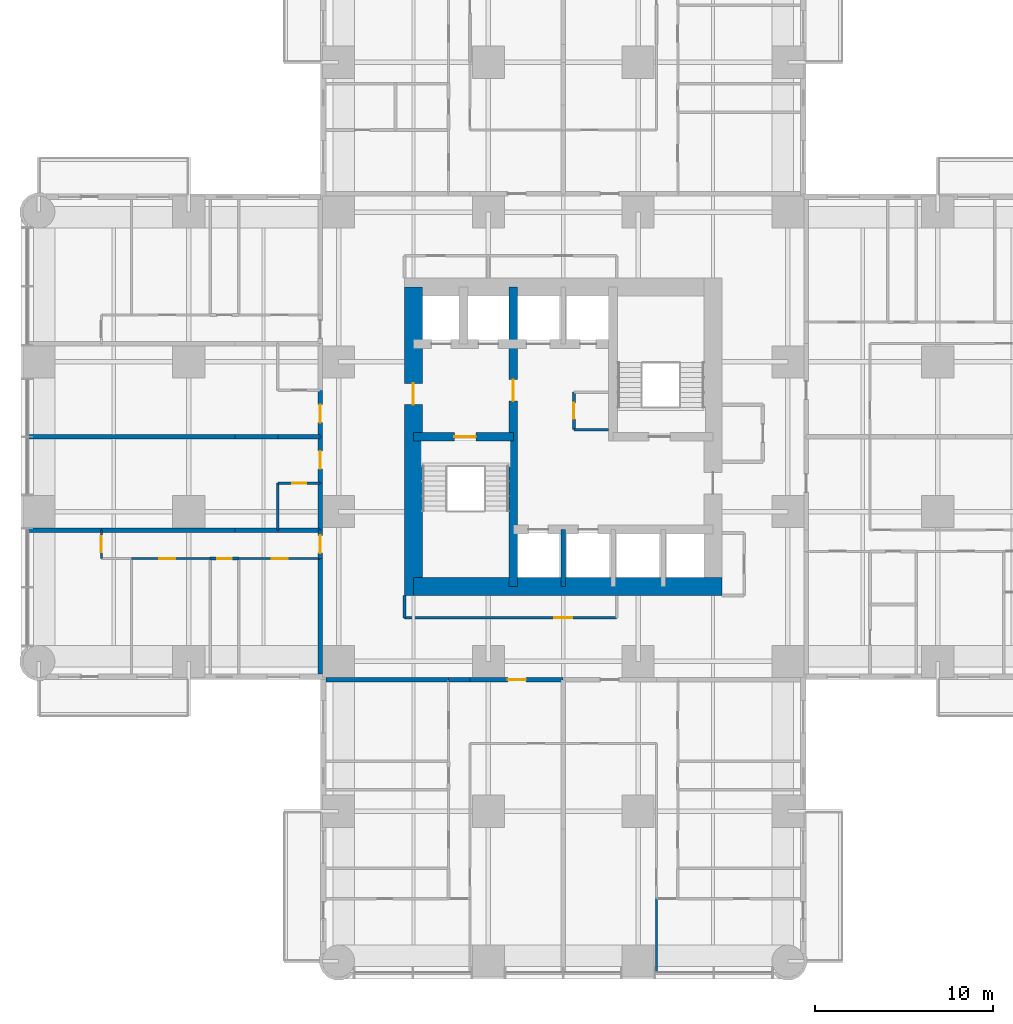
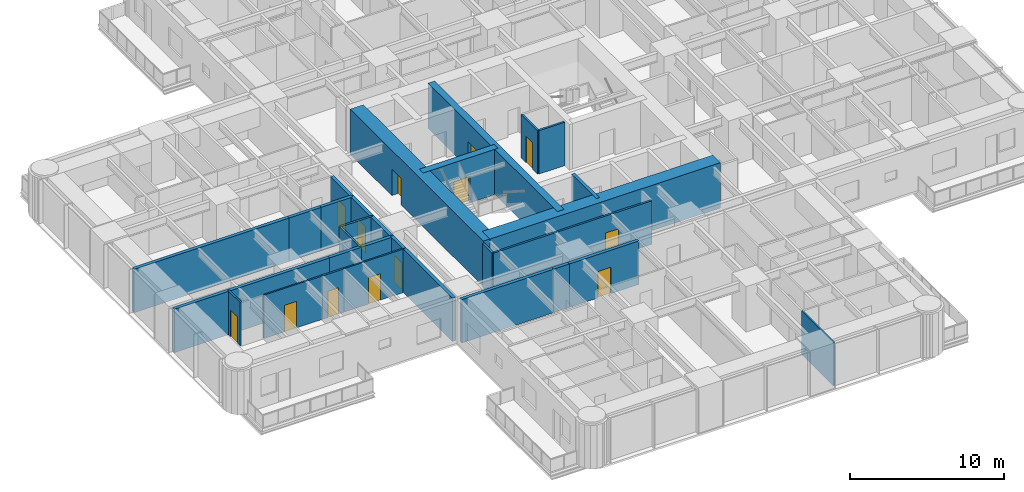
# One storey, part 8 of 17: 31 walls, 14 doors, 14 openings.
"""IFC4 building model written with IfcOpenShell, lengths in metres."""

from ifc_helpers import new_model, si_unit, direction, frame, frame_2d, origin, place, context, subcontext, project, spatial, rectangle, extrude, material, layer, layer_set, type_object, element, fill, save


model = new_model("IFC4")

# Units and contexts
model_context = context("Model", 3, precision=1e-05, world=origin(), true_north=direction((0.0, 1.0)))
body_context = subcontext(model_context, "Body", "Model", "MODEL_VIEW")
ifc_project = project(units=[si_unit("LENGTHUNIT", "METRE"), si_unit("AREAUNIT", "SQUARE_METRE"), si_unit("VOLUMEUNIT", "CUBIC_METRE"), si_unit("PLANEANGLEUNIT", "RADIAN"), si_unit("MASSUNIT", "GRAM", prefix="KILO")], contexts=[model_context])

# Site, building, storey
site_placement = place(None, origin())
site = spatial("IfcSite", under=ifc_project, at=site_placement, CompositionType="ELEMENT")
building_placement = place(site_placement, origin())
building = spatial("IfcBuilding", under=site, at=building_placement, Name="Torre Alcanfor", CompositionType="ELEMENT")
storey_placement = place(building_placement, frame((0.0, 0.0, 77.699951171875)))
storey = spatial("IfcBuildingStorey", under=building, at=storey_placement, Name="L19", CompositionType="ELEMENT", Elevation=77.699951171875)

# Wall, opening, door
ifc_material_1 = material(Name="Concrete block masonry, hollow blocks NMX-C-404 9 MPa", Category="masonry")
ifc_layer_1 = layer(ifc_material_1, 0.25)
ifc_layer_set_1 = layer_set([ifc_layer_1], Name="Apartment entrance wall 250 EI 60")
wall_type_1 = type_object("IfcWallType", Name="Apartment entrance wall 250 EI 60", PredefinedType="PARTITIONING", material=ifc_layer_set_1)
wall_1_placement = place(storey_placement, frame((29.39990234375, 15.77490234375, 0.0), z_axis=(0.0, 0.0, 1.0), x_axis=(-1.0, 0.0, 0.0)))
wall_1 = element("IfcWall", 1, at=wall_1_placement, inside=storey, type_object=wall_type_1, Name="Partition L19-CORR / L19-S2-ZAG", PredefinedType="PARTITIONING", context=body_context, shape_type="SweptSolid", body=[
    extrude(rectangle(XDim=5.22900390625, YDim=0.25, at=frame_2d((2.614501953125, 0.0))), origin(), (0.0, 0.0, 1.0), 3.449951171875),
])
opening_1_placement = place(wall_1_placement, frame((2.10009765625, 0.0, 0.0)))
opening_1 = element("IfcOpeningElement", 2, at=opening_1_placement, cuts=wall_1, Name="Opening D-A1", PredefinedType="OPENING", context=body_context, shape_type="SweptSolid", body=[
    extrude(rectangle(XDim=1.0, YDim=2.10009765625, at=frame_2d((0.5, 1.050048828125))), frame((0.0, 0.135009765625, 0.0), z_axis=(0.0, -1.0, 0.0), x_axis=(1.0, 0.0, 0.0)), (0.0, 0.0, 1.0), 0.27001953125),
])
ifc_material_2 = material(Name="Galvanised steel sheet ASTM A653", Category="steel")
door_type_1 = type_object("IfcDoorType", Name="Apartment entrance door FD60 1000x2100", OperationType="SINGLE_SWING_LEFT", PredefinedType="DOOR", material=ifc_material_2)
door_1_placement = place(opening_1_placement, origin())
door_1 = element("IfcDoor", 3, at=door_1_placement, inside=storey, type_object=door_type_1, Name="Apartment entrance L19-S2", OperationType="SINGLE_SWING_LEFT", OverallHeight=2.10009765625, OverallWidth=1.0, PredefinedType="DOOR", context=body_context, shape_type="SweptSolid", body=[
    extrude(rectangle(XDim=1.0, YDim=2.10009765625, at=frame_2d((0.5, 1.050048828125))), frame((0.0, 0.02490234375, 0.0), z_axis=(0.0, -1.0, 0.0), x_axis=(1.0, 0.0, 0.0)), (0.0, 0.0, 1.0), 0.050048828125),
])
fill(opening_1, door_1)

# Walls
wall_2_placement = place(storey_placement, frame((24.1708984375, 15.77490234375, 0.0), z_axis=(0.0, 0.0, 1.0), x_axis=(-1.0, 0.0, 0.0)))
element("IfcWall", 4, at=wall_2_placement, inside=storey, type_object=wall_type_1, Name="Partition L19-CORR / L19-S2-HALL", PredefinedType="PARTITIONING", context=body_context, shape_type="SweptSolid", body=[
    extrude(rectangle(XDim=1.199951171875, YDim=0.25, at=frame_2d((0.60009765625, 0.0))), origin(), (0.0, 0.0, 1.0), 3.449951171875),
])
wall_3_placement = place(storey_placement, frame((22.970947265625, 15.77490234375, 0.0), z_axis=(0.0, 0.0, 1.0), x_axis=(-1.0, 0.0, 0.0)))
element("IfcWall", 5, at=wall_3_placement, inside=storey, type_object=wall_type_1, Name="Partition L19-CORR / L19-S2-BED3", PredefinedType="PARTITIONING", context=body_context, shape_type="SweptSolid", body=[
    extrude(rectangle(XDim=6.870849609375, YDim=0.25, at=frame_2d((3.435546875, 0.0))), origin(), (0.0, 0.0, 1.0), 3.449951171875),
])

# Wall, opening, door
wall_4_placement = place(storey_placement, frame((15.77490234375, 26.800048828125, 0.0), z_axis=(0.0, 0.0, 1.0), x_axis=(0.0, 1.0, 0.0)))
wall_4 = element("IfcWall", 6, at=wall_4_placement, inside=storey, type_object=wall_type_1, Name="Partition L19-CORR / L19-W1A-FOYER", PredefinedType="PARTITIONING", context=body_context, shape_type="SweptSolid", body=[
    extrude(rectangle(XDim=2.599853515625, YDim=0.25, at=frame_2d((1.2998046875, 0.0))), origin(), (0.0, 0.0, 1.0), 3.449951171875),
])
opening_2_placement = place(wall_4_placement, frame((0.800048828125, 0.0, 0.0)))
opening_2 = element("IfcOpeningElement", 7, at=opening_2_placement, cuts=wall_4, Name="Opening D-A1", PredefinedType="OPENING", context=body_context, shape_type="SweptSolid", body=[
    extrude(rectangle(XDim=1.0, YDim=2.10009765625, at=frame_2d((0.5, 1.050048828125))), frame((0.0, 0.135009765625, 0.0), z_axis=(0.0, -1.0, 0.0), x_axis=(1.0, 0.0, 0.0)), (0.0, 0.0, 1.0), 0.27001953125),
])
door_2_placement = place(opening_2_placement, origin())
door_2 = element("IfcDoor", 8, at=door_2_placement, inside=storey, type_object=door_type_1, Name="Apartment entrance L19-W1A", OperationType="SINGLE_SWING_LEFT", OverallHeight=2.10009765625, OverallWidth=1.0, PredefinedType="DOOR", context=body_context, shape_type="SweptSolid", body=[
    extrude(rectangle(XDim=1.0, YDim=2.10009765625, at=frame_2d((0.5, 1.050048828125))), frame((0.0, 0.02490234375, 0.0), z_axis=(0.0, -1.0, 0.0), x_axis=(1.0, 0.0, 0.0)), (0.0, 0.0, 1.0), 0.050048828125),
])
fill(opening_2, door_2)

# Wall
wall_5_placement = place(storey_placement, frame((15.77490234375, 24.1708984375, 0.0), z_axis=(0.0, 0.0, 1.0), x_axis=(0.0, 1.0, 0.0)))
element("IfcWall", 9, at=wall_5_placement, inside=storey, type_object=wall_type_1, Name="Partition L19-CORR / L19-W1A-BATH", PredefinedType="PARTITIONING", context=body_context, shape_type="SweptSolid", body=[
    extrude(rectangle(XDim=2.629150390625, YDim=0.25, at=frame_2d((1.314453125, 0.0))), origin(), (0.0, 0.0, 1.0), 3.449951171875),
])

# Wall, opening, door
wall_6_placement = place(storey_placement, frame((15.77490234375, 22.571044921875, 0.0), z_axis=(0.0, 0.0, 1.0), x_axis=(0.0, 1.0, 0.0)))
wall_6 = element("IfcWall", 10, at=wall_6_placement, inside=storey, type_object=wall_type_1, Name="Partition L19-CORR / L19-W1B-HALL", PredefinedType="PARTITIONING", context=body_context, shape_type="SweptSolid", body=[
    extrude(rectangle(XDim=1.599853515625, YDim=0.25, at=frame_2d((0.7998046875, 0.0))), origin(), (0.0, 0.0, 1.0), 3.449951171875),
])
opening_3_placement = place(wall_6_placement, frame((0.300048828125, 0.0, 0.0)))
opening_3 = element("IfcOpeningElement", 11, at=opening_3_placement, cuts=wall_6, Name="Opening D-A1", PredefinedType="OPENING", context=body_context, shape_type="SweptSolid", body=[
    extrude(rectangle(XDim=1.0, YDim=2.10009765625, at=frame_2d((0.5, 1.050048828125))), frame((0.0, 0.135009765625, 0.0), z_axis=(0.0, -1.0, 0.0), x_axis=(1.0, 0.0, 0.0)), (0.0, 0.0, 1.0), 0.27001953125),
])
door_3_placement = place(opening_3_placement, origin())
door_3 = element("IfcDoor", 12, at=door_3_placement, inside=storey, type_object=door_type_1, Name="Apartment entrance L19-W1B", OperationType="SINGLE_SWING_LEFT", OverallHeight=2.10009765625, OverallWidth=1.0, PredefinedType="DOOR", context=body_context, shape_type="SweptSolid", body=[
    extrude(rectangle(XDim=1.0, YDim=2.10009765625, at=frame_2d((0.5, 1.050048828125))), frame((0.0, 0.02490234375, 0.0), z_axis=(0.0, -1.0, 0.0), x_axis=(1.0, 0.0, 0.0)), (0.0, 0.0, 1.0), 0.050048828125),
])
fill(opening_3, door_3)

# Wall
wall_7_placement = place(storey_placement, frame((15.77490234375, 16.10009765625, 0.0), z_axis=(0.0, 0.0, 1.0), x_axis=(0.0, 1.0, 0.0)))
element("IfcWall", 13, at=wall_7_placement, inside=storey, type_object=wall_type_1, Name="Partition L19-CORR / L19-W1B-MASTER", PredefinedType="PARTITIONING", context=body_context, shape_type="SweptSolid", body=[
    extrude(rectangle(XDim=6.470947265625, YDim=0.25, at=frame_2d((3.2353515625, 0.0))), origin(), (0.0, 0.0, 1.0), 3.449951171875),
])

# Wall, opening, door
wall_8_placement = place(storey_placement, frame((15.77490234375, 29.39990234375, 0.0), z_axis=(0.0, 0.0, 1.0), x_axis=(0.0, 1.0, 0.0)))
wall_8 = element("IfcWall", 14, at=wall_8_placement, inside=storey, type_object=wall_type_1, Name="Partition L19-CORR / L19-W2A-FOYER", PredefinedType="PARTITIONING", context=body_context, shape_type="SweptSolid", body=[
    extrude(rectangle(XDim=2.60009765625, YDim=0.25, at=frame_2d((1.300048828125, 0.0))), origin(), (0.0, 0.0, 1.0), 3.449951171875),
])
opening_4_placement = place(wall_8_placement, frame((0.800048828125, 0.0, 0.0)))
opening_4 = element("IfcOpeningElement", 15, at=opening_4_placement, cuts=wall_8, Name="Opening D-A1", PredefinedType="OPENING", context=body_context, shape_type="SweptSolid", body=[
    extrude(rectangle(XDim=1.0, YDim=2.10009765625, at=frame_2d((0.5, 1.050048828125))), frame((0.0, 0.135009765625, 0.0), z_axis=(0.0, -1.0, 0.0), x_axis=(1.0, 0.0, 0.0)), (0.0, 0.0, 1.0), 0.27001953125),
])
door_4_placement = place(opening_4_placement, origin())
door_4 = element("IfcDoor", 16, at=door_4_placement, inside=storey, type_object=door_type_1, Name="Apartment entrance L19-W2A", OperationType="SINGLE_SWING_LEFT", OverallHeight=2.10009765625, OverallWidth=1.0, PredefinedType="DOOR", context=body_context, shape_type="SweptSolid", body=[
    extrude(rectangle(XDim=1.0, YDim=2.10009765625, at=frame_2d((0.5, 1.050048828125))), frame((0.0, 0.02490234375, 0.0), z_axis=(0.0, -1.0, 0.0), x_axis=(1.0, 0.0, 0.0)), (0.0, 0.0, 1.0), 0.050048828125),
])
fill(opening_4, door_4)

# Wall
ifc_material_3 = material(Name="Gypsum board on steel studs", Category="steel")
ifc_layer_2 = layer(ifc_material_3, 0.1201171875)
ifc_layer_set_2 = layer_set([ifc_layer_2], Name="Apartment partition 120")
wall_type_2 = type_object("IfcWallType", Name="Apartment partition 120", PredefinedType="PARTITIONING", material=ifc_layer_set_2)
wall_9_placement = place(storey_placement, frame((34.62890625, -0.64990234375, 0.0), z_axis=(0.0, 0.0, 1.0), x_axis=(0.0, 1.0, 0.0)))
element("IfcWall", 17, at=wall_9_placement, inside=storey, type_object=wall_type_2, Name="Partition L19-S1-LIVING / L19-S1-MASTER", PredefinedType="PARTITIONING", context=body_context, shape_type="SweptSolid", body=[
    extrude(rectangle(XDim=4.14990234375, YDim=0.1201171875, at=frame_2d((2.074951171875, 0.0))), origin(), (0.0, 0.0, 1.0), 3.449951171875),
])

# Wall, opening, door
wall_10_placement = place(storey_placement, frame((11.199951171875, 22.571044921875, 0.0), z_axis=(0.0, 0.0, 1.0), x_axis=(1.0, 0.0, 0.0)))
wall_10 = element("IfcWall", 18, at=wall_10_placement, inside=storey, type_object=wall_type_2, Name="Partition L19-W1B-HALL / L19-W1B-MASTER", PredefinedType="PARTITIONING", context=body_context, shape_type="SweptSolid", body=[
    extrude(rectangle(XDim=4.574951171875, YDim=0.1201171875, at=frame_2d((2.28759765625, 0.0))), origin(), (0.0, 0.0, 1.0), 3.449951171875),
])
opening_5_placement = place(wall_10_placement, frame((1.85009765625, 0.0, 0.0)))
opening_5 = element("IfcOpeningElement", 19, at=opening_5_placement, cuts=wall_10, Name="Opening D-R1", PredefinedType="OPENING", context=body_context, shape_type="SweptSolid", body=[
    extrude(rectangle(XDim=0.89990234375, YDim=2.10009765625, at=frame_2d((0.449951171875, 1.050048828125))), frame((0.0, 0.070068359375, 0.0), z_axis=(0.0, -1.0, 0.0), x_axis=(1.0, 0.0, 0.0)), (0.0, 0.0, 1.0), 0.14013671875),
])
ifc_material_4 = material(Name="Timber", Category="wood")
door_type_2 = type_object("IfcDoorType", Name="Internal door 900x2100", OperationType="SINGLE_SWING_LEFT", PredefinedType="DOOR", material=ifc_material_4)
door_5_placement = place(opening_5_placement, frame((0.89990234375, 0.0, 0.0), z_axis=(0.0, 0.0, 1.0), x_axis=(-1.0, 0.0, 0.0)))
door_5 = element("IfcDoor", 20, at=door_5_placement, inside=storey, type_object=door_type_2, Name="Door L19-W1B master", OperationType="SINGLE_SWING_LEFT", OverallHeight=2.10009765625, OverallWidth=0.89990234375, PredefinedType="DOOR", context=body_context, shape_type="SweptSolid", body=[
    extrude(rectangle(XDim=0.89990234375, YDim=2.10009765625, at=frame_2d((0.449951171875, 1.050048828125))), frame((0.0, 0.025146484375, 0.0), z_axis=(0.0, -1.0, 0.0), x_axis=(1.0, 0.0, 0.0)), (0.0, 0.0, 1.0), 0.050048828125),
])
fill(opening_5, door_5)

wall_11_placement = place(storey_placement, frame((5.199951171875, 22.571044921875, 0.0), z_axis=(0.0, 0.0, 1.0), x_axis=(1.0, 0.0, 0.0)))
wall_11 = element("IfcWall", 21, at=wall_11_placement, inside=storey, type_object=wall_type_2, Name="Partition L19-W1B-HALL / L19-W1B-STUDY", PredefinedType="PARTITIONING", context=body_context, shape_type="SweptSolid", body=[
    extrude(rectangle(XDim=4.400146484375, YDim=0.1201171875, at=frame_2d((2.2001953125, 0.0))), origin(), (0.0, 0.0, 1.0), 3.449951171875),
])
opening_6_placement = place(wall_11_placement, frame((1.550048828125, 0.0, 0.0)))
opening_6 = element("IfcOpeningElement", 22, at=opening_6_placement, cuts=wall_11, Name="Opening D-R1", PredefinedType="OPENING", context=body_context, shape_type="SweptSolid", body=[
    extrude(rectangle(XDim=0.89990234375, YDim=2.10009765625, at=frame_2d((0.449951171875, 1.050048828125))), frame((0.0, 0.070068359375, 0.0), z_axis=(0.0, -1.0, 0.0), x_axis=(1.0, 0.0, 0.0)), (0.0, 0.0, 1.0), 0.14013671875),
])
door_6_placement = place(opening_6_placement, frame((0.89990234375, 0.0, 0.0), z_axis=(0.0, 0.0, 1.0), x_axis=(-1.0, 0.0, 0.0)))
door_6 = element("IfcDoor", 23, at=door_6_placement, inside=storey, type_object=door_type_2, Name="Door L19-W1B study", OperationType="SINGLE_SWING_RIGHT", OverallHeight=2.10009765625, OverallWidth=0.89990234375, PredefinedType="DOOR", context=body_context, shape_type="SweptSolid", body=[
    extrude(rectangle(XDim=0.89990234375, YDim=2.10009765625, at=frame_2d((0.449951171875, 1.050048828125))), frame((0.0, 0.025146484375, 0.0), z_axis=(0.0, -1.0, 0.0), x_axis=(1.0, 0.0, 0.0)), (0.0, 0.0, 1.0), 0.050048828125),
])
fill(opening_6, door_6)

wall_12_placement = place(storey_placement, frame((3.5, 24.1708984375, 0.0), z_axis=(0.0, 0.0, 1.0), x_axis=(0.0, -1.0, 0.0)))
wall_12 = element("IfcWall", 24, at=wall_12_placement, inside=storey, type_object=wall_type_2, Name="Partition L19-W1B-HALL / L19-W1B-LIVING", PredefinedType="PARTITIONING", context=body_context, shape_type="SweptSolid", body=[
    extrude(rectangle(XDim=1.599853515625, YDim=0.1201171875, at=frame_2d((0.7998046875, 0.0))), origin(), (0.0, 0.0, 1.0), 3.449951171875),
])
opening_7_placement = place(wall_12_placement, frame((0.35009765625, 0.0, 0.0)))
opening_7 = element("IfcOpeningElement", 25, at=opening_7_placement, cuts=wall_12, Name="Opening D-R1", PredefinedType="OPENING", context=body_context, shape_type="SweptSolid", body=[
    extrude(rectangle(XDim=0.89990234375, YDim=2.10009765625, at=frame_2d((0.449951171875, 1.050048828125))), frame((0.0, 0.070068359375, 0.0), z_axis=(0.0, -1.0, 0.0), x_axis=(1.0, 0.0, 0.0)), (0.0, 0.0, 1.0), 0.14013671875),
])
door_7_placement = place(opening_7_placement, frame((0.89990234375, 0.0, 0.0), z_axis=(0.0, 0.0, 1.0), x_axis=(-1.0, 0.0, 0.0)))
door_7 = element("IfcDoor", 26, at=door_7_placement, inside=storey, type_object=door_type_2, Name="Door L19-W1B living", OperationType="SINGLE_SWING_RIGHT", OverallHeight=2.10009765625, OverallWidth=0.89990234375, PredefinedType="DOOR", context=body_context, shape_type="SweptSolid", body=[
    extrude(rectangle(XDim=0.89990234375, YDim=2.10009765625, at=frame_2d((0.449951171875, 1.050048828125))), frame((0.0, 0.025146484375, 0.0), z_axis=(0.0, -1.0, 0.0), x_axis=(1.0, 0.0, 0.0)), (0.0, 0.0, 1.0), 0.050048828125),
])
fill(opening_7, door_7)

ifc_material_5 = material(Name="Concrete f'c 70 MPa", Category="concrete")
ifc_layer_3 = layer(ifc_material_5, 0.5)
ifc_layer_set_3 = layer_set([ifc_layer_3], Name="Core inner wall 500 f'c70")
wall_type_3 = type_object("IfcWallType", Name="Core inner wall 500 f'c70", PredefinedType="SHEAR", material=ifc_layer_set_3)
wall_13_placement = place(storey_placement, frame((26.60009765625, 21.0, 0.0), z_axis=(0.0, 0.0, 1.0), x_axis=(0.0, 1.0, 0.0)))
wall_13 = element("IfcWall", 27, at=wall_13_placement, inside=storey, type_object=wall_type_3, Name="Core wall X266 L19", PredefinedType="SHEAR", context=body_context, shape_type="SweptSolid", body=[
    extrude(rectangle(XDim=16.800048828125, YDim=0.5, at=frame_2d((8.39990234375, 0.0))), origin(), (0.0, 0.0, 1.0), 3.60009765625),
])
opening_8_placement = place(wall_13_placement, frame((10.39990234375, 0.0, 0.0)))
opening_8 = element("IfcOpeningElement", 28, at=opening_8_placement, cuts=wall_13, Name="Opening D-L1", PredefinedType="OPENING", context=body_context, shape_type="SweptSolid", body=[
    extrude(rectangle(XDim=1.199951171875, YDim=2.10009765625, at=frame_2d((0.60009765625, 1.050048828125))), frame((0.0, 0.260009765625, 0.0), z_axis=(0.0, -1.0, 0.0), x_axis=(1.0, 0.0, 0.0)), (0.0, 0.0, 1.0), 0.52001953125),
])
ifc_material_6 = material(Name="Galvanised steel sheet ASTM A653", Category="steel")
door_type_3 = type_object("IfcDoorType", Name="Lobby door FD120 1200x2100", OperationType="SINGLE_SWING_LEFT", PredefinedType="DOOR", material=ifc_material_6)
door_8_placement = place(opening_8_placement, origin())
door_8 = element("IfcDoor", 29, at=door_8_placement, inside=storey, type_object=door_type_3, Name="Lift lobby door L19", OperationType="SINGLE_SWING_LEFT", OverallHeight=2.10009765625, OverallWidth=1.199951171875, PredefinedType="DOOR", context=body_context, shape_type="SweptSolid", body=[
    extrude(rectangle(XDim=1.199951171875, YDim=2.10009765625, at=frame_2d((0.60009765625, 1.050048828125))), frame((0.0, 0.02490234375, 0.0), z_axis=(0.0, -1.0, 0.0), x_axis=(1.0, 0.0, 0.0)), (0.0, 0.0, 1.0), 0.050048828125),
])
fill(opening_8, door_8)

wall_14_placement = place(storey_placement, frame((21.0, 29.39990234375, 0.0), z_axis=(0.0, 0.0, 1.0), x_axis=(1.0, 0.0, 0.0)))
wall_14 = element("IfcWall", 30, at=wall_14_placement, inside=storey, type_object=wall_type_3, Name="Core wall Y294W L19", PredefinedType="SHEAR", context=body_context, shape_type="SweptSolid", body=[
    extrude(rectangle(XDim=5.60009765625, YDim=0.5, at=frame_2d((2.800048828125, 0.0))), origin(), (0.0, 0.0, 1.0), 3.60009765625),
])
opening_9_placement = place(wall_14_placement, frame((2.300048828125, 0.0, 0.0)))
opening_9 = element("IfcOpeningElement", 31, at=opening_9_placement, cuts=wall_14, Name="Opening D-S2", PredefinedType="OPENING", context=body_context, shape_type="SweptSolid", body=[
    extrude(rectangle(XDim=1.199951171875, YDim=2.10009765625, at=frame_2d((0.60009765625, 1.050048828125))), frame((0.0, 0.260009765625, 0.0), z_axis=(0.0, -1.0, 0.0), x_axis=(1.0, 0.0, 0.0)), (0.0, 0.0, 1.0), 0.52001953125),
])
ifc_material_7 = material(Name="Galvanised steel sheet ASTM A653", Category="steel")
door_type_4 = type_object("IfcDoorType", Name="Stair enclosure door FD120 1200x2100", OperationType="SINGLE_SWING_LEFT", PredefinedType="DOOR", material=ifc_material_7)
door_9_placement = place(opening_9_placement, frame((1.199951171875, 0.0, 0.0), z_axis=(0.0, 0.0, 1.0), x_axis=(-1.0, 0.0, 0.0)))
door_9 = element("IfcDoor", 32, at=door_9_placement, inside=storey, type_object=door_type_4, Name="Stair S1 door L19", OperationType="SINGLE_SWING_LEFT", OverallHeight=2.10009765625, OverallWidth=1.199951171875, PredefinedType="DOOR", context=body_context, shape_type="SweptSolid", body=[
    extrude(rectangle(XDim=1.199951171875, YDim=2.10009765625, at=frame_2d((0.599853515625, 1.050048828125))), frame((0.0, 0.025146484375, 0.0), z_axis=(0.0, -1.0, 0.0), x_axis=(1.0, 0.0, 0.0)), (0.0, 0.0, 1.0), 0.050048828125),
])
fill(opening_9, door_9)

# Walls
ifc_material_8 = material(Name="Concrete f'c 70 MPa", Category="concrete")
ifc_layer_4 = layer(ifc_material_8, 0.25)
ifc_layer_set_4 = layer_set([ifc_layer_4], Name="Core shaft wall 250 f'c70")
wall_type_4 = type_object("IfcWallType", Name="Core shaft wall 250 f'c70", PredefinedType="SHEAR", material=ifc_layer_set_4)
wall_15_placement = place(storey_placement, frame((29.39990234375, 21.0, 0.0), z_axis=(0.0, 0.0, 1.0), x_axis=(0.0, 1.0, 0.0)))
element("IfcWall", 33, at=wall_15_placement, inside=storey, type_object=wall_type_4, Name="Core wall X294S L19", PredefinedType="SHEAR", context=body_context, shape_type="SweptSolid", body=[
    extrude(rectangle(XDim=3.199951171875, YDim=0.25, at=frame_2d((1.60009765625, 0.0))), origin(), (0.0, 0.0, 1.0), 3.60009765625),
])
ifc_material_9 = material(Name="Concrete f'c 70 MPa", Category="concrete")
ifc_layer_5 = layer(ifc_material_9, 1.0)
ifc_layer_set_5 = layer_set([ifc_layer_5], Name="Core wall 1000 f'c70")
wall_type_5 = type_object("IfcWallType", Name="Core wall 1000 f'c70", PredefinedType="SHEAR", material=ifc_layer_set_5)
wall_16_placement = place(storey_placement, frame((21.0, 21.0, 0.0), z_axis=(0.0, 0.0, 1.0), x_axis=(1.0, 0.0, 0.0)))
element("IfcWall", 34, at=wall_16_placement, inside=storey, type_object=wall_type_5, Name="Core wall OUT-S L19", PredefinedType="SHEAR", context=body_context, shape_type="SweptSolid", body=[
    extrude(rectangle(XDim=17.300048828125, YDim=1.0, at=frame_2d((8.64990234375, 0.0))), origin(), (0.0, 0.0, 1.0), 3.60009765625),
])

# Wall, opening, door
wall_17_placement = place(storey_placement, frame((21.0, 37.800048828125, 0.0), z_axis=(0.0, 0.0, 1.0), x_axis=(0.0, -1.0, 0.0)))
wall_17 = element("IfcWall", 35, at=wall_17_placement, inside=storey, type_object=wall_type_5, Name="Core wall OUT-W L19", PredefinedType="SHEAR", context=body_context, shape_type="SweptSolid", body=[
    extrude(rectangle(XDim=17.300048828125, YDim=1.0, at=frame_2d((8.64990234375, 0.0))), origin(), (0.0, 0.0, 1.0), 3.60009765625),
])
opening_10_placement = place(wall_17_placement, frame((5.39990234375, 0.0, 0.0)))
opening_10 = element("IfcOpeningElement", 36, at=opening_10_placement, cuts=wall_17, Name="Opening D-L1", PredefinedType="OPENING", context=body_context, shape_type="SweptSolid", body=[
    extrude(rectangle(XDim=1.199951171875, YDim=2.10009765625, at=frame_2d((0.60009765625, 1.050048828125))), frame((0.0, 0.510009765625, 0.0), z_axis=(0.0, -1.0, 0.0), x_axis=(1.0, 0.0, 0.0)), (0.0, 0.0, 1.0), 1.02001953125),
])
door_10_placement = place(opening_10_placement, origin())
door_10 = element("IfcDoor", 37, at=door_10_placement, inside=storey, type_object=door_type_3, Name="Firefighting lobby door L19", OperationType="SINGLE_SWING_LEFT", OverallHeight=2.10009765625, OverallWidth=1.199951171875, PredefinedType="DOOR", context=body_context, shape_type="SweptSolid", body=[
    extrude(rectangle(XDim=1.199951171875, YDim=2.10009765625, at=frame_2d((0.60009765625, 1.050048828125))), frame((0.0, 0.02490234375, 0.0), z_axis=(0.0, -1.0, 0.0), x_axis=(1.0, 0.0, 0.0)), (0.0, 0.0, 1.0), 0.050048828125),
])
fill(opening_10, door_10)

# Walls
ifc_material_10 = material(Name="Concrete block masonry, hollow blocks NMX-C-404 9 MPa", Category="masonry")
ifc_layer_6 = layer(ifc_material_10, 0.25)
ifc_layer_set_6 = layer_set([ifc_layer_6], Name="Party wall 250 EI 60")
wall_type_6 = type_object("IfcWallType", Name="Party wall 250 EI 60", PredefinedType="PARTITIONING", material=ifc_layer_set_6)
for number, where, z_axis, x_axis, name in (
    (38, (15.77490234375, 29.39990234375, 0.0), (0.0, 0.0, 1.0), (-1.0, 0.0, 0.0), "Partition L19-W1A-FOYER / L19-W2A-FOYER"),
    (39, (13.39990234375, 24.1708984375, 0.0), (0.0, 0.0, 1.0), (1.0, 0.0, 0.0), "Partition L19-W1A-BATH / L19-W1B-HALL"),
):
    element("IfcWall", number, at=place(storey_placement, frame(where, z_axis=z_axis, x_axis=x_axis)), inside=storey, type_object=wall_type_6, Name=name, PredefinedType="PARTITIONING", context=body_context, shape_type="SweptSolid", body=[
        extrude(rectangle(XDim=2.375, YDim=0.25, at=frame_2d((1.1875, 0.0))), origin(), (0.0, 0.0, 1.0), 3.449951171875),
    ])
for number, where, z_axis, x_axis, name in (
    (40, (11.0, 24.1708984375, 0.0), (0.0, 0.0, 1.0), (1.0, 0.0, 0.0), "Partition L19-W1A-KITCHEN / L19-W1B-HALL"),
    (41, (13.39990234375, 29.39990234375, 0.0), (0.0, 0.0, 1.0), (-1.0, 0.0, 0.0), "Partition L19-W1A-KITCHEN / L19-W2A-KITCHEN"),
):
    element("IfcWall", number, at=place(storey_placement, frame(where, z_axis=z_axis, x_axis=x_axis)), inside=storey, type_object=wall_type_6, Name=name, PredefinedType="PARTITIONING", context=body_context, shape_type="SweptSolid", body=[
        extrude(rectangle(XDim=2.39990234375, YDim=0.25, at=frame_2d((1.199951171875, 0.0))), origin(), (0.0, 0.0, 1.0), 3.449951171875),
    ])
wall_18_placement = place(storey_placement, frame((3.5, 24.1708984375, 0.0), z_axis=(0.0, 0.0, 1.0), x_axis=(1.0, 0.0, 0.0)))
element("IfcWall", 42, at=wall_18_placement, inside=storey, type_object=wall_type_6, Name="Partition L19-W1A-STUDIO / L19-W1B-HALL", PredefinedType="PARTITIONING", context=body_context, shape_type="SweptSolid", body=[
    extrude(rectangle(XDim=7.5, YDim=0.25, at=frame_2d((3.75, 0.0))), origin(), (0.0, 0.0, 1.0), 3.449951171875),
])
wall_19_placement = place(storey_placement, frame((-0.64990234375, 24.1708984375, 0.0), z_axis=(0.0, 0.0, 1.0), x_axis=(1.0, 0.0, 0.0)))
element("IfcWall", 43, at=wall_19_placement, inside=storey, type_object=wall_type_6, Name="Partition L19-W1A-STUDIO / L19-W1B-LIVING", PredefinedType="PARTITIONING", context=body_context, shape_type="SweptSolid", body=[
    extrude(rectangle(XDim=4.14990234375, YDim=0.25, at=frame_2d((2.074951171875, 0.0))), origin(), (0.0, 0.0, 1.0), 3.449951171875),
])
wall_20_placement = place(storey_placement, frame((11.0, 29.39990234375, 0.0), z_axis=(0.0, 0.0, 1.0), x_axis=(-1.0, 0.0, 0.0)))
element("IfcWall", 44, at=wall_20_placement, inside=storey, type_object=wall_type_6, Name="Partition L19-W1A-STUDIO / L19-W2A-STUDIO", PredefinedType="PARTITIONING", context=body_context, shape_type="SweptSolid", body=[
    extrude(rectangle(XDim=11.64990234375, YDim=0.25, at=frame_2d((5.824951171875, 0.0))), origin(), (0.0, 0.0, 1.0), 3.449951171875),
])
ifc_material_11 = material(Name="Concrete block masonry, hollow blocks NMX-C-404 9 MPa", Category="masonry")
ifc_layer_7 = layer(ifc_material_11, 0.14990234375)
ifc_layer_set_7 = layer_set([ifc_layer_7], Name="Residents' room partition 150")
wall_type_7 = type_object("IfcWallType", Name="Residents' room partition 150", PredefinedType="PARTITIONING", material=ifc_layer_set_7)
wall_21_placement = place(storey_placement, frame((20.5, 20.5, 0.0), z_axis=(0.0, 0.0, 1.0), x_axis=(0.0, -1.0, 0.0)))
element("IfcWall", 45, at=wall_21_placement, inside=storey, type_object=wall_type_7, Name="Partition L19-CORR / L19-G05", PredefinedType="PARTITIONING", context=body_context, shape_type="SweptSolid", body=[
    extrude(rectangle(XDim=1.25, YDim=0.14990234375, at=frame_2d((0.625, 0.0))), origin(), (0.0, 0.0, 1.0), 3.449951171875),
])

# Wall, opening, door
wall_22_placement = place(storey_placement, frame((20.5, 19.25, 0.0), z_axis=(0.0, 0.0, 1.0), x_axis=(1.0, 0.0, 0.0)))
wall_22 = element("IfcWall", 46, at=wall_22_placement, inside=storey, type_object=wall_type_7, Name="Partition L19-CORR / L19-G05", PredefinedType="PARTITIONING", context=body_context, shape_type="SweptSolid", body=[
    extrude(rectangle(XDim=11.89990234375, YDim=0.14990234375, at=frame_2d((5.949951171875, 0.0))), origin(), (0.0, 0.0, 1.0), 3.449951171875),
])
opening_11_placement = place(wall_22_placement, frame((8.39990234375, 0.0, 0.0)))
opening_11 = element("IfcOpeningElement", 47, at=opening_11_placement, cuts=wall_22, Name="Opening D-M1", PredefinedType="OPENING", context=body_context, shape_type="SweptSolid", body=[
    extrude(rectangle(XDim=1.0, YDim=2.10009765625, at=frame_2d((0.5, 1.050048828125))), frame((0.0, 0.0849609375, 0.0), z_axis=(0.0, -1.0, 0.0), x_axis=(1.0, 0.0, 0.0)), (0.0, 0.0, 1.0), 0.169921875),
])
ifc_material_12 = material(Name="Timber", Category="wood")
door_type_5 = type_object("IfcDoorType", Name="Residents' room door 1000x2100", OperationType="SINGLE_SWING_LEFT", PredefinedType="DOOR", material=ifc_material_12)
door_11_placement = place(opening_11_placement, origin())
door_11 = element("IfcDoor", 48, at=door_11_placement, inside=storey, type_object=door_type_5, Name="Door L19-G05 residents' storage lockers", OperationType="SINGLE_SWING_RIGHT", OverallHeight=2.10009765625, OverallWidth=1.0, PredefinedType="DOOR", context=body_context, shape_type="SweptSolid", body=[
    extrude(rectangle(XDim=1.0, YDim=2.10009765625, at=frame_2d((0.5, 1.050048828125))), frame((0.0, 0.02490234375, 0.0), z_axis=(0.0, -1.0, 0.0), x_axis=(1.0, 0.0, 0.0)), (0.0, 0.0, 1.0), 0.050048828125),
])
fill(opening_11, door_11)

ifc_material_13 = material(Name="Cement board on steel studs", Category="steel")
ifc_layer_8 = layer(ifc_material_13, 0.14990234375)
ifc_layer_set_8 = layer_set([ifc_layer_8], Name="Wet area partition 150")
wall_type_8 = type_object("IfcWallType", Name="Wet area partition 150", PredefinedType="PARTITIONING", material=ifc_layer_set_8)
wall_23_placement = place(storey_placement, frame((13.39990234375, 26.800048828125, 0.0), z_axis=(0.0, 0.0, 1.0), x_axis=(1.0, 0.0, 0.0)))
wall_23 = element("IfcWall", 49, at=wall_23_placement, inside=storey, type_object=wall_type_8, Name="Partition L19-W1A-FOYER / L19-W1A-BATH", PredefinedType="PARTITIONING", context=body_context, shape_type="SweptSolid", body=[
    extrude(rectangle(XDim=2.375, YDim=0.14990234375, at=frame_2d((1.1875, 0.0))), origin(), (0.0, 0.0, 1.0), 3.449951171875),
])
opening_12_placement = place(wall_23_placement, frame((0.800048828125, 0.0, 0.0)))
opening_12 = element("IfcOpeningElement", 50, at=opening_12_placement, cuts=wall_23, Name="Opening D-R2", PredefinedType="OPENING", context=body_context, shape_type="SweptSolid", body=[
    extrude(rectangle(XDim=0.800048828125, YDim=2.10009765625, at=frame_2d((0.39990234375, 1.050048828125))), frame((0.0, 0.0849609375, 0.0), z_axis=(0.0, -1.0, 0.0), x_axis=(1.0, 0.0, 0.0)), (0.0, 0.0, 1.0), 0.169921875),
])
ifc_material_14 = material(Name="Timber", Category="wood")
door_type_6 = type_object("IfcDoorType", Name="Bathroom door 800x2100", OperationType="SINGLE_SWING_LEFT", PredefinedType="DOOR", material=ifc_material_14)
door_12_placement = place(opening_12_placement, frame((0.800048828125, 0.0, 0.0), z_axis=(0.0, 0.0, 1.0), x_axis=(-1.0, 0.0, 0.0)))
door_12 = element("IfcDoor", 51, at=door_12_placement, inside=storey, type_object=door_type_6, Name="Door L19-W1A bath", OperationType="SINGLE_SWING_LEFT", OverallHeight=2.10009765625, OverallWidth=0.800048828125, PredefinedType="DOOR", context=body_context, shape_type="SweptSolid", body=[
    extrude(rectangle(XDim=0.800048828125, YDim=2.10009765625, at=frame_2d((0.400146484375, 1.050048828125))), frame((0.0, 0.025146484375, 0.0), z_axis=(0.0, -1.0, 0.0), x_axis=(1.0, 0.0, 0.0)), (0.0, 0.0, 1.0), 0.050048828125),
])
fill(opening_12, door_12)

# Wall
wall_24_placement = place(storey_placement, frame((13.39990234375, 26.800048828125, 0.0), z_axis=(0.0, 0.0, 1.0), x_axis=(0.0, -1.0, 0.0)))
element("IfcWall", 52, at=wall_24_placement, inside=storey, type_object=wall_type_8, Name="Partition L19-W1A-BATH / L19-W1A-KITCHEN", PredefinedType="PARTITIONING", context=body_context, shape_type="SweptSolid", body=[
    extrude(rectangle(XDim=2.629150390625, YDim=0.14990234375, at=frame_2d((1.314453125, 0.0))), origin(), (0.0, 0.0, 1.0), 3.449951171875),
])

# Wall, opening, door
wall_25_placement = place(storey_placement, frame((9.60009765625, 22.571044921875, 0.0), z_axis=(0.0, 0.0, 1.0), x_axis=(1.0, 0.0, 0.0)))
wall_25 = element("IfcWall", 53, at=wall_25_placement, inside=storey, type_object=wall_type_8, Name="Partition L19-W1B-HALL / L19-W1B-BATH", PredefinedType="PARTITIONING", context=body_context, shape_type="SweptSolid", body=[
    extrude(rectangle(XDim=1.599853515625, YDim=0.14990234375, at=frame_2d((0.7998046875, 0.0))), origin(), (0.0, 0.0, 1.0), 3.449951171875),
])
opening_13_placement = place(wall_25_placement, frame((0.39990234375, 0.0, 0.0)))
opening_13 = element("IfcOpeningElement", 54, at=opening_13_placement, cuts=wall_25, Name="Opening D-R2", PredefinedType="OPENING", context=body_context, shape_type="SweptSolid", body=[
    extrude(rectangle(XDim=0.800048828125, YDim=2.10009765625, at=frame_2d((0.39990234375, 1.050048828125))), frame((0.0, 0.0849609375, 0.0), z_axis=(0.0, -1.0, 0.0), x_axis=(1.0, 0.0, 0.0)), (0.0, 0.0, 1.0), 0.169921875),
])
door_13_placement = place(opening_13_placement, frame((0.800048828125, 0.0, 0.0), z_axis=(0.0, 0.0, 1.0), x_axis=(-1.0, 0.0, 0.0)))
door_13 = element("IfcDoor", 55, at=door_13_placement, inside=storey, type_object=door_type_6, Name="Door L19-W1B bath", OperationType="SINGLE_SWING_RIGHT", OverallHeight=2.10009765625, OverallWidth=0.800048828125, PredefinedType="DOOR", context=body_context, shape_type="SweptSolid", body=[
    extrude(rectangle(XDim=0.800048828125, YDim=2.10009765625, at=frame_2d((0.400146484375, 1.050048828125))), frame((0.0, 0.025146484375, 0.0), z_axis=(0.0, -1.0, 0.0), x_axis=(1.0, 0.0, 0.0)), (0.0, 0.0, 1.0), 0.050048828125),
])
fill(opening_13, door_13)

# Wall
wall_26_placement = place(storey_placement, frame((31.949951171875, 29.800048828125, 0.0), z_axis=(0.0, 0.0, 1.0), x_axis=(-1.0, 0.0, 0.0)))
element("IfcWall", 56, at=wall_26_placement, inside=storey, type_object=wall_type_8, Name="Partition L19-LL / L19-CR1", PredefinedType="PARTITIONING", context=body_context, shape_type="SweptSolid", body=[
    extrude(rectangle(XDim=1.949951171875, YDim=0.14990234375, at=frame_2d((0.97509765625, 0.0))), origin(), (0.0, 0.0, 1.0), 3.449951171875),
])

# Wall, opening, door
wall_27_placement = place(storey_placement, frame((30.0, 29.800048828125, 0.0), z_axis=(0.0, 0.0, 1.0), x_axis=(0.0, 1.0, 0.0)))
wall_27 = element("IfcWall", 57, at=wall_27_placement, inside=storey, type_object=wall_type_8, Name="Partition L19-LL / L19-CR1", PredefinedType="PARTITIONING", context=body_context, shape_type="SweptSolid", body=[
    extrude(rectangle(XDim=2.099853515625, YDim=0.14990234375, at=frame_2d((1.0498046875, 0.0))), origin(), (0.0, 0.0, 1.0), 3.449951171875),
])
opening_14_placement = place(wall_27_placement, frame((0.60009765625, 0.0, 0.0)))
opening_14 = element("IfcOpeningElement", 58, at=opening_14_placement, cuts=wall_27, Name="Opening D-W1", PredefinedType="OPENING", context=body_context, shape_type="SweptSolid", body=[
    extrude(rectangle(XDim=0.89990234375, YDim=2.10009765625, at=frame_2d((0.449951171875, 1.050048828125))), frame((0.0, 0.0849609375, 0.0), z_axis=(0.0, -1.0, 0.0), x_axis=(1.0, 0.0, 0.0)), (0.0, 0.0, 1.0), 0.169921875),
])
ifc_material_15 = material(Name="Timber", Category="wood")
door_type_7 = type_object("IfcDoorType", Name="Toilet door 900x2100", OperationType="SINGLE_SWING_LEFT", PredefinedType="DOOR", material=ifc_material_15)
door_14_placement = place(opening_14_placement, frame((0.89990234375, 0.0, 0.0), z_axis=(0.0, 0.0, 1.0), x_axis=(-1.0, 0.0, 0.0)))
door_14 = element("IfcDoor", 59, at=door_14_placement, inside=storey, type_object=door_type_7, Name="Staff WC door L19", OperationType="SINGLE_SWING_RIGHT", OverallHeight=2.10009765625, OverallWidth=0.89990234375, PredefinedType="DOOR", context=body_context, shape_type="SweptSolid", body=[
    extrude(rectangle(XDim=0.89990234375, YDim=2.10009765625, at=frame_2d((0.449951171875, 1.050048828125))), frame((0.0, 0.025146484375, 0.0), z_axis=(0.0, -1.0, 0.0), x_axis=(1.0, 0.0, 0.0)), (0.0, 0.0, 1.0), 0.050048828125),
])
fill(opening_14, door_14)

save(model, "model.ifc")
